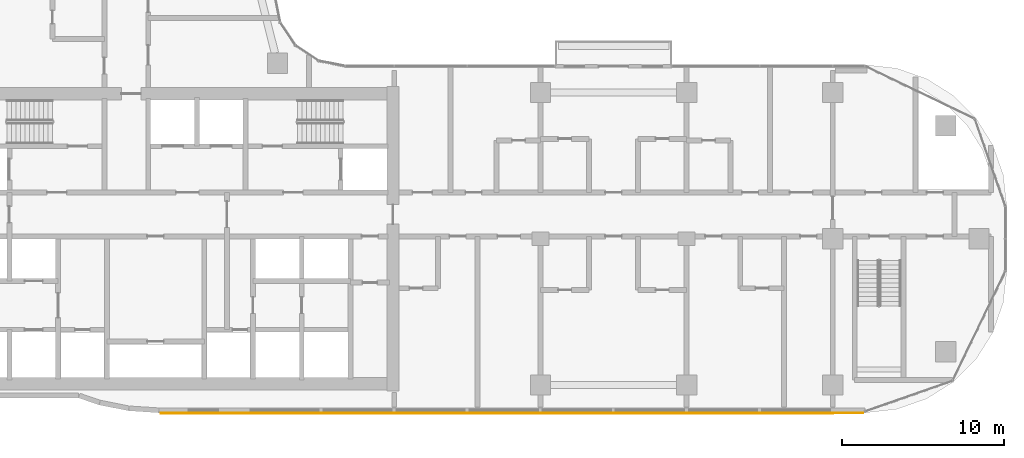
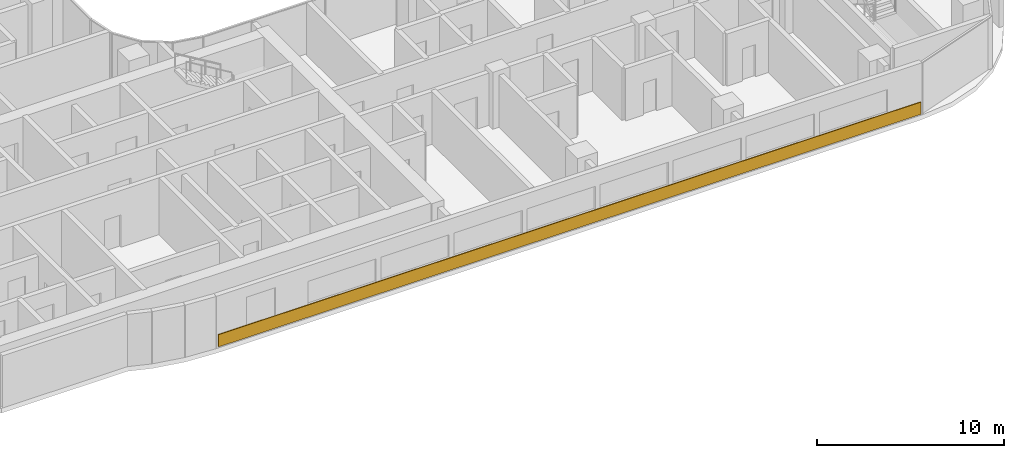
# One storey, part 20 of 23: 1 covering.
"""IFC4 building model written with IfcOpenShell, lengths in metres."""

from ifc_helpers import new_model, si_unit, direction, frame, origin, origin_2d, place, context, subcontext, project, spatial, rectangle, extrude, material, layer, layer_set, type_object, element, save


model = new_model("IFC4")

# Units and contexts
model_context = context("Model", 3, precision=1e-05, world=origin(), true_north=direction((0.0, 1.0)))
body_context = subcontext(model_context, "Body", "Model", "MODEL_VIEW")
ifc_project = project(units=[si_unit("LENGTHUNIT", "METRE"), si_unit("AREAUNIT", "SQUARE_METRE"), si_unit("VOLUMEUNIT", "CUBIC_METRE"), si_unit("PLANEANGLEUNIT", "RADIAN"), si_unit("MASSUNIT", "GRAM", prefix="KILO")], contexts=[model_context])

# Site, building, storey
site_placement = place(None, origin())
site = spatial("IfcSite", under=ifc_project, at=site_placement, CompositionType="ELEMENT")
building_placement = place(site_placement, origin())
building = spatial("IfcBuilding", under=site, at=building_placement, Name="Ogive Portal Towers", CompositionType="ELEMENT")
storey_placement = place(building_placement, frame((0.0, 0.0, 127.800048828125)))
storey = spatial("IfcBuildingStorey", under=building, at=storey_placement, Name="L31", CompositionType="ELEMENT", Elevation=127.800048828125)

# Covering
ifc_material = material(Name="Limestone cladding on lightweight block wall", Category="masonry")
ifc_layer = layer(ifc_material, 0.050048828125)
ifc_layer_set = layer_set([ifc_layer], Name="SCREEN PERFORATED STONE")
covering_type = type_object("IfcCoveringType", Name="SCREEN PERFORATED STONE", PredefinedType="CLADDING", material=ifc_layer_set)
covering_placement = place(storey_placement, frame((65.748046875, 19.760009765625, 0.10009765625), z_axis=(0.0, 0.0, 1.0), x_axis=(1.0, 0.0, 0.0)))
element("IfcCovering", 1, at=covering_placement, inside=storey, type_object=covering_type, Name="Tracery screen", PredefinedType="CLADDING", context=body_context, shape_type="SweptSolid", body=[
    extrude(rectangle(XDim=43.276611328125, YDim=0.050048828125, at=origin_2d()), origin(), (0.0, 0.0, 1.0), 0.800048828125),
])

save(model, "model.ifc")
